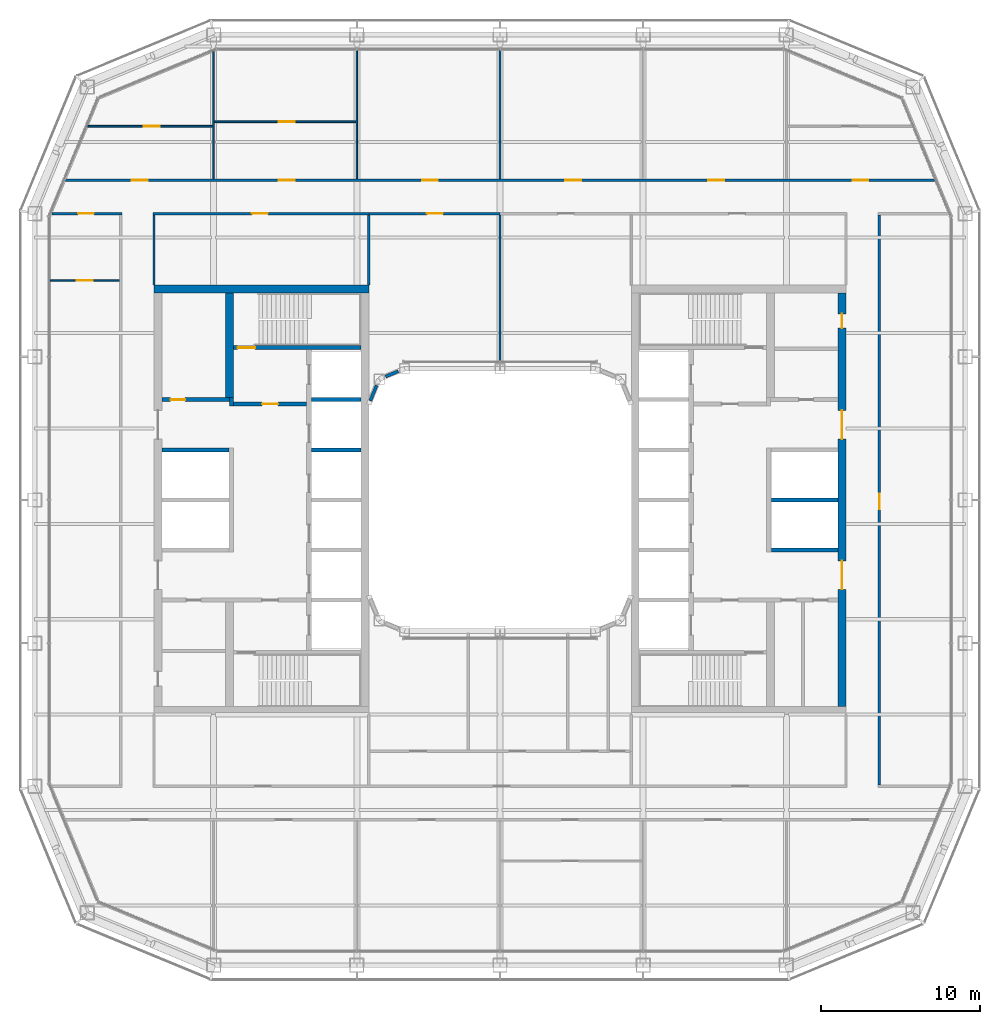
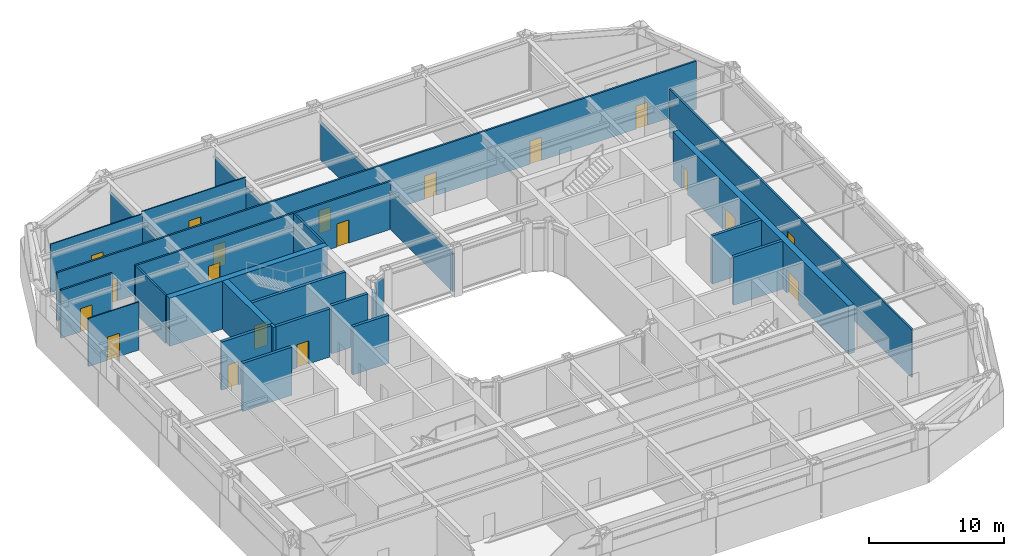
# One storey, part 13 of 21: 28 walls, 19 doors, 19 openings.
"""IFC4 building model written with IfcOpenShell, lengths in metres."""

from ifc_helpers import new_model, si_unit, direction, frame, frame_2d, origin, place, context, subcontext, project, spatial, rectangle, extrude, material, layer, layer_set, type_object, element, fill, save


model = new_model("IFC4")

# Units and contexts
model_context = context("Model", 3, precision=1e-05, world=origin(), true_north=direction((0.0, 1.0)))
body_context = subcontext(model_context, "Body", "Model", "MODEL_VIEW")
ifc_project = project(units=[si_unit("LENGTHUNIT", "METRE"), si_unit("AREAUNIT", "SQUARE_METRE"), si_unit("VOLUMEUNIT", "CUBIC_METRE"), si_unit("PLANEANGLEUNIT", "RADIAN"), si_unit("MASSUNIT", "GRAM", prefix="KILO")], contexts=[model_context])

# Site, building, storey
site_placement = place(None, origin())
site = spatial("IfcSite", under=ifc_project, at=site_placement, CompositionType="ELEMENT")
building_placement = place(site_placement, origin())
building = spatial("IfcBuilding", under=site, at=building_placement, Name="Siwar Civic Tower", CompositionType="ELEMENT")
storey_placement = place(building_placement, frame((0.0, 0.0, 158.699951171875)))
storey = spatial("IfcBuildingStorey", under=building, at=storey_placement, Name="L34", CompositionType="ELEMENT", Elevation=158.699951171875)

# Wall, opening, door
ifc_material_1 = material(Name="Gypsum board on steel studs", Category="steel")
ifc_layer_1 = layer(ifc_material_1, 0.14990234375)
ifc_layer_set_1 = layer_set([ifc_layer_1], Name="Gypsum board on steel studs")
wall_type_1 = type_object("IfcWallType", Name="COMPARTMENT PARTITION 150 EI 60", PredefinedType="PARTITIONING", material=ifc_layer_set_1)
wall_1_placement = place(storey_placement, frame((-8.25, 18.0, 0.0), z_axis=(0.0, 0.0, 1.0), x_axis=(1.0, 0.0, 0.0)))
wall_1 = element("IfcWall", 1, at=wall_1_placement, inside=storey, type_object=wall_type_1, Name="L34/wall/P13", PredefinedType="PARTITIONING", context=body_context, shape_type="SweptSolid", body=[
    extrude(rectangle(XDim=8.25, YDim=0.14990234375, at=frame_2d((4.125, 0.0))), origin(), (0.0, 0.0, 1.0), 4.35009765625),
])
opening_1_placement = place(wall_1_placement, frame((3.64990234375, 0.0, 0.0)))
opening_1 = element("IfcOpeningElement", 2, at=opening_1_placement, cuts=wall_1, Name="Opening D1", PredefinedType="OPENING", context=body_context, shape_type="SweptSolid", body=[
    extrude(rectangle(XDim=1.0, YDim=2.10009765625, at=frame_2d((0.5, 1.050048828125))), frame((0.0, 0.0849609375, 0.0), z_axis=(0.0, -1.0, 0.0), x_axis=(1.0, 0.0, 0.0)), (0.0, 0.0, 1.0), 0.169921875),
])
ifc_material_2 = material(Name="Timber, painted", Category="wood")
door_type_1 = type_object("IfcDoorType", Name="DOOR 1000 X 2100 FD30", OperationType="SINGLE_SWING_LEFT", PredefinedType="DOOR", material=ifc_material_2)
door_1_placement = place(opening_1_placement, origin())
door_1 = element("IfcDoor", 3, at=door_1_placement, inside=storey, type_object=door_type_1, Name="L34-D17", OperationType="SINGLE_SWING_LEFT", OverallHeight=2.10009765625, OverallWidth=1.0, PredefinedType="DOOR", context=body_context, shape_type="SweptSolid", body=[
    extrude(rectangle(XDim=1.0, YDim=2.10009765625, at=frame_2d((0.5, 1.050048828125))), frame((0.0, 0.02490234375, 0.0), z_axis=(0.0, -1.0, 0.0), x_axis=(1.0, 0.0, 0.0)), (0.0, 0.0, 1.0), 0.050048828125),
])
fill(opening_1, door_1)

# Walls
wall_2_placement = place(storey_placement, frame((-8.25, 13.5, 0.0), z_axis=(0.0, 0.0, 1.0), x_axis=(0.0, 1.0, 0.0)))
element("IfcWall", 4, at=wall_2_placement, inside=storey, type_object=wall_type_1, Name="L34/wall/P26", PredefinedType="PARTITIONING", context=body_context, shape_type="SweptSolid", body=[
    extrude(rectangle(XDim=4.425048828125, YDim=0.14990234375, at=frame_2d((2.21240234375, 0.0))), origin(), (0.0, 0.0, 1.0), 4.35009765625),
])
wall_3_placement = place(storey_placement, frame((0.0, 8.64990234375, 0.0), z_axis=(0.0, 0.0, 1.0), x_axis=(0.0, 1.0, 0.0)))
element("IfcWall", 5, at=wall_3_placement, inside=storey, type_object=wall_type_1, Name="L34/wall/P30", PredefinedType="PARTITIONING", context=body_context, shape_type="SweptSolid", body=[
    extrude(rectangle(XDim=9.275146484375, YDim=0.14990234375, at=frame_2d((4.6376953125, 0.0))), origin(), (0.0, 0.0, 1.0), 3.449951171875),
])

# Wall, opening, door
ifc_material_3 = material(Name="Concrete C60/75", Category="concrete")
ifc_layer_2 = layer(ifc_material_3, 0.25)
ifc_layer_set_2 = layer_set([ifc_layer_2], Name="Concrete C60/75")
wall_type_2 = type_object("IfcWallType", Name="CORE-WALL-RC250", PredefinedType="SHEAR", material=ifc_layer_set_2)
wall_4_placement = place(storey_placement, frame((-12.14990234375, 6.02490234375, 0.0), z_axis=(0.0, 0.0, 1.0), x_axis=(-1.0, 0.0, 0.0)))
wall_4 = element("IfcWall", 6, at=wall_4_placement, inside=storey, type_object=wall_type_2, Name="Core wall W", PredefinedType="SHEAR", context=body_context, shape_type="SweptSolid", body=[
    extrude(rectangle(XDim=4.60009765625, YDim=0.25, at=frame_2d((2.300048828125, 0.0))), origin(), (0.0, 0.0, 1.0), 4.35009765625),
])
opening_2_placement = place(wall_4_placement, frame((1.800048828125, 0.0, 0.0)))
opening_2 = element("IfcOpeningElement", 7, at=opening_2_placement, cuts=wall_4, Name="Opening L34-CW01", PredefinedType="OPENING", context=body_context, shape_type="SweptSolid", body=[
    extrude(rectangle(XDim=1.0, YDim=2.10009765625, at=frame_2d((0.5, 1.050048828125))), frame((0.0, 0.135009765625, 0.0), z_axis=(0.0, -1.0, 0.0), x_axis=(1.0, 0.0, 0.0)), (0.0, 0.0, 1.0), 0.27001953125),
])
ifc_material_4 = material(Name="Steel door leaf", Category="steel")
door_type_2 = type_object("IfcDoorType", Name="CORE-DOOR-FD30S", OperationType="SINGLE_SWING_LEFT", PredefinedType="DOOR", material=ifc_material_4)
door_2_placement = place(opening_2_placement, origin())
door_2 = element("IfcDoor", 8, at=door_2_placement, inside=storey, type_object=door_type_2, Name="Firefighting lobby door L34-CW01", OperationType="SINGLE_SWING_LEFT", OverallHeight=2.10009765625, OverallWidth=1.0, PredefinedType="DOOR", context=body_context, shape_type="SweptSolid", body=[
    extrude(rectangle(XDim=1.0, YDim=2.10009765625, at=frame_2d((0.5, 1.050048828125))), frame((0.0, 0.02490234375, 0.0), z_axis=(0.0, -1.0, 0.0), x_axis=(1.0, 0.0, 0.0)), (0.0, 0.0, 1.0), 0.050048828125),
])
fill(opening_2, door_2)

# Wall
wall_5_placement = place(storey_placement, frame((-16.875, 5.89990234375, 0.0), z_axis=(0.0, 0.0, 1.0), x_axis=(0.0, 1.0, 0.0)))
element("IfcWall", 9, at=wall_5_placement, inside=storey, type_object=wall_type_2, Name="Core wall W", PredefinedType="SHEAR", context=body_context, shape_type="SweptSolid", body=[
    extrude(rectangle(XDim=0.525146484375, YDim=0.25, at=frame_2d((0.2626953125, 0.0))), origin(), (0.0, 0.0, 1.0), 4.35009765625),
])

# Wall, opening, door
wall_6_placement = place(storey_placement, frame((-17.0, 6.300048828125, 0.0), z_axis=(0.0, 0.0, 1.0), x_axis=(-1.0, 0.0, 0.0)))
wall_6 = element("IfcWall", 10, at=wall_6_placement, inside=storey, type_object=wall_type_2, Name="Core wall W", PredefinedType="SHEAR", context=body_context, shape_type="SweptSolid", body=[
    extrude(rectangle(XDim=4.25, YDim=0.25, at=frame_2d((2.125, 0.0))), origin(), (0.0, 0.0, 1.0), 4.35009765625),
])
opening_3_placement = place(wall_6_placement, frame((2.800048828125, 0.0, 0.0)))
opening_3 = element("IfcOpeningElement", 11, at=opening_3_placement, cuts=wall_6, Name="Opening L34-CW13", PredefinedType="OPENING", context=body_context, shape_type="SweptSolid", body=[
    extrude(rectangle(XDim=0.89990234375, YDim=2.10009765625, at=frame_2d((0.449951171875, 1.050048828125))), frame((0.0, 0.135009765625, 0.0), z_axis=(0.0, -1.0, 0.0), x_axis=(1.0, 0.0, 0.0)), (0.0, 0.0, 1.0), 0.27001953125),
])
ifc_material_5 = material(Name="Steel door leaf", Category="steel")
door_type_3 = type_object("IfcDoorType", Name="CORE-DOOR-ROOM", OperationType="SINGLE_SWING_LEFT", PredefinedType="DOOR", material=ifc_material_5)
door_3_placement = place(opening_3_placement, origin())
door_3 = element("IfcDoor", 12, at=door_3_placement, inside=storey, type_object=door_type_3, Name="Core room door L34-CW13", OperationType="SINGLE_SWING_RIGHT", OverallHeight=2.10009765625, OverallWidth=0.89990234375, PredefinedType="DOOR", context=body_context, shape_type="SweptSolid", body=[
    extrude(rectangle(XDim=0.89990234375, YDim=2.10009765625, at=frame_2d((0.449951171875, 1.050048828125))), frame((0.0, 0.02490234375, 0.0), z_axis=(0.0, -1.0, 0.0), x_axis=(1.0, 0.0, 0.0)), (0.0, 0.0, 1.0), 0.050048828125),
])
fill(opening_3, door_3)

# Walls
wall_7_placement = place(storey_placement, frame((-17.050048828125, 3.14990234375, 0.0), z_axis=(0.0, 0.0, 1.0), x_axis=(-1.0, 0.0, 0.0)))
element("IfcWall", 13, at=wall_7_placement, inside=storey, type_object=wall_type_2, Name="Core wall W", PredefinedType="SHEAR", context=body_context, shape_type="SweptSolid", body=[
    extrude(rectangle(XDim=4.199951171875, YDim=0.25, at=frame_2d((2.10009765625, 0.0))), origin(), (0.0, 0.0, 1.0), 4.35009765625),
])
for number, where, z_axis, x_axis, name in (
    (14, (-8.75, 3.14990234375, 0.0), (0.0, 0.0, 1.0), (-1.0, 0.0, 0.0), "Core wall W"),
    (15, (-8.75, 6.300048828125, 0.0), (0.0, 0.0, 1.0), (-1.0, 0.0, 0.0), "Core wall W"),
):
    element("IfcWall", number, at=place(storey_placement, frame(where, z_axis=z_axis, x_axis=x_axis)), inside=storey, type_object=wall_type_2, Name=name, PredefinedType="SHEAR", context=body_context, shape_type="SweptSolid", body=[
        extrude(rectangle(XDim=3.10009765625, YDim=0.25, at=frame_2d((1.550048828125, 0.0))), origin(), (0.0, 0.0, 1.0), 4.35009765625),
    ])

# Wall, opening, door
wall_8_placement = place(storey_placement, frame((-8.75, 9.574951171875, 0.0), z_axis=(0.0, 0.0, 1.0), x_axis=(-1.0, 0.0, 0.0)))
wall_8 = element("IfcWall", 16, at=wall_8_placement, inside=storey, type_object=wall_type_2, Name="Core wall W", PredefinedType="SHEAR", context=body_context, shape_type="SweptSolid", body=[
    extrude(rectangle(XDim=8.0, YDim=0.25, at=frame_2d((4.0, 0.0))), origin(), (0.0, 0.0, 1.0), 4.35009765625),
])
opening_4_placement = place(wall_8_placement, frame((6.64990234375, 0.0, 0.0)))
opening_4 = element("IfcOpeningElement", 17, at=opening_4_placement, cuts=wall_8, Name="Opening L34-CW03", PredefinedType="OPENING", context=body_context, shape_type="SweptSolid", body=[
    extrude(rectangle(XDim=1.10009765625, YDim=2.10009765625, at=frame_2d((0.550048828125, 1.050048828125))), frame((0.0, 0.135009765625, 0.0), z_axis=(0.0, -1.0, 0.0), x_axis=(1.0, 0.0, 0.0)), (0.0, 0.0, 1.0), 0.27001953125),
])
ifc_material_6 = material(Name="Steel door leaf", Category="steel")
door_type_4 = type_object("IfcDoorType", Name="CORE-DOOR-FD60S", OperationType="SINGLE_SWING_LEFT", PredefinedType="DOOR", material=ifc_material_6)
door_4_placement = place(opening_4_placement, origin())
door_4 = element("IfcDoor", 18, at=door_4_placement, inside=storey, type_object=door_type_4, Name="Stair door L34-CW03", OperationType="SINGLE_SWING_RIGHT", OverallHeight=2.10009765625, OverallWidth=1.10009765625, PredefinedType="DOOR", context=body_context, shape_type="SweptSolid", body=[
    extrude(rectangle(XDim=1.10009765625, YDim=2.10009765625, at=frame_2d((0.550048828125, 1.050048828125))), frame((0.0, 0.02490234375, 0.0), z_axis=(0.0, -1.0, 0.0), x_axis=(1.0, 0.0, 0.0)), (0.0, 0.0, 1.0), 0.050048828125),
])
fill(opening_4, door_4)

# Walls
for number, where, z_axis, x_axis, name in (
    (19, (17.050048828125, 0.0, 0.0), (0.0, 0.0, 1.0), (1.0, 0.0, 0.0), "Core wall E"),
    (20, (17.050048828125, -3.14990234375, 0.0), (0.0, 0.0, 1.0), (1.0, 0.0, 0.0), "Core wall E"),
):
    element("IfcWall", number, at=place(storey_placement, frame(where, z_axis=z_axis, x_axis=x_axis)), inside=storey, type_object=wall_type_2, Name=name, PredefinedType="SHEAR", context=body_context, shape_type="SweptSolid", body=[
        extrude(rectangle(XDim=4.199951171875, YDim=0.25, at=frame_2d((2.10009765625, 0.0))), origin(), (0.0, 0.0, 1.0), 4.35009765625),
    ])
ifc_material_7 = material(Name="Concrete C60/75", Category="concrete")
ifc_layer_3 = layer(ifc_material_7, 0.5)
ifc_layer_set_3 = layer_set([ifc_layer_3], Name="Concrete C60/75")
wall_type_3 = type_object("IfcWallType", Name="CORE-WALL-RC500", PredefinedType="SHEAR", material=ifc_layer_set_3)
wall_9_placement = place(storey_placement, frame((-17.0, 6.425048828125, 0.0), z_axis=(0.0, 0.0, 1.0), x_axis=(0.0, 1.0, 0.0)))
element("IfcWall", 21, at=wall_9_placement, inside=storey, type_object=wall_type_3, Name="Core wall W", PredefinedType="SHEAR", context=body_context, shape_type="SweptSolid", body=[
    extrude(rectangle(XDim=6.574951171875, YDim=0.5, at=frame_2d((3.28759765625, 0.0))), origin(), (0.0, 0.0, 1.0), 4.35009765625),
])
wall_10_placement = place(storey_placement, frame((-8.25, 13.25, 0.0), z_axis=(0.0, 0.0, 1.0), x_axis=(-1.0, 0.0, 0.0)))
element("IfcWall", 22, at=wall_10_placement, inside=storey, type_object=wall_type_3, Name="Core wall W", PredefinedType="SHEAR", context=body_context, shape_type="SweptSolid", body=[
    extrude(rectangle(XDim=13.5, YDim=0.5, at=frame_2d((6.75, 0.0))), origin(), (0.0, 0.0, 1.0), 4.35009765625),
])

# Wall, openings, doors
wall_11_placement = place(storey_placement, frame((21.5, -13.0, 0.0), z_axis=(0.0, 0.0, 1.0), x_axis=(0.0, 1.0, 0.0)))
wall_11 = element("IfcWall", 23, at=wall_11_placement, inside=storey, type_object=wall_type_3, Name="Core wall E", PredefinedType="SHEAR", context=body_context, shape_type="SweptSolid", body=[
    extrude(rectangle(XDim=26.0, YDim=0.5, at=frame_2d((13.0, 0.0))), origin(), (0.0, 0.0, 1.0), 4.35009765625),
])
opening_5_placement = place(wall_11_placement, frame((16.824951171875, 0.0, 0.0)))
opening_5 = element("IfcOpeningElement", 24, at=opening_5_placement, cuts=wall_11, Name="Opening L34-CE05", PredefinedType="OPENING", context=body_context, shape_type="SweptSolid", body=[
    extrude(rectangle(XDim=1.800048828125, YDim=2.10009765625, at=frame_2d((0.89990234375, 1.050048828125))), frame((0.0, 0.260009765625, 0.0), z_axis=(0.0, -1.0, 0.0), x_axis=(1.0, 0.0, 0.0)), (0.0, 0.0, 1.0), 0.52001953125),
])
opening_6_placement = place(wall_11_placement, frame((7.375, 0.0, 0.0)))
opening_6 = element("IfcOpeningElement", 25, at=opening_6_placement, cuts=wall_11, Name="Opening L34-CE06", PredefinedType="OPENING", context=body_context, shape_type="SweptSolid", body=[
    extrude(rectangle(XDim=1.800048828125, YDim=2.10009765625, at=frame_2d((0.89990234375, 1.050048828125))), frame((0.0, 0.260009765625, 0.0), z_axis=(0.0, -1.0, 0.0), x_axis=(1.0, 0.0, 0.0)), (0.0, 0.0, 1.0), 0.52001953125),
])
opening_7_placement = place(wall_11_placement, frame((23.800048828125, 0.0, 0.0)))
opening_7 = element("IfcOpeningElement", 26, at=opening_7_placement, cuts=wall_11, Name="Opening L34-CE14", PredefinedType="OPENING", context=body_context, shape_type="SweptSolid", body=[
    extrude(rectangle(XDim=0.89990234375, YDim=2.10009765625, at=frame_2d((0.449951171875, 1.050048828125))), frame((0.0, 0.260009765625, 0.0), z_axis=(0.0, -1.0, 0.0), x_axis=(1.0, 0.0, 0.0)), (0.0, 0.0, 1.0), 0.52001953125),
])
ifc_material_8 = material(Name="Steel door leaf", Category="steel")
door_type_5 = type_object("IfcDoorType", Name="CORE-DOOR-PORT", OperationType="DOUBLE_DOOR_DOUBLE_SWING", PredefinedType="DOOR", material=ifc_material_8)
door_5_placement = place(opening_5_placement, origin())
door_5 = element("IfcDoor", 27, at=door_5_placement, inside=storey, type_object=door_type_5, Name="Core entrance door L34-CE05", OperationType="DOUBLE_DOOR_DOUBLE_SWING", OverallHeight=2.10009765625, OverallWidth=1.800048828125, PredefinedType="DOOR", context=body_context, shape_type="SweptSolid", body=[
    extrude(rectangle(XDim=1.800048828125, YDim=2.10009765625, at=frame_2d((0.89990234375, 1.050048828125))), frame((0.0, 0.02490234375, 0.0), z_axis=(0.0, -1.0, 0.0), x_axis=(1.0, 0.0, 0.0)), (0.0, 0.0, 1.0), 0.050048828125),
])
fill(opening_5, door_5)
door_6_placement = place(opening_6_placement, origin())
door_6 = element("IfcDoor", 28, at=door_6_placement, inside=storey, type_object=door_type_5, Name="Core entrance door L34-CE06", OperationType="DOUBLE_DOOR_DOUBLE_SWING", OverallHeight=2.10009765625, OverallWidth=1.800048828125, PredefinedType="DOOR", context=body_context, shape_type="SweptSolid", body=[
    extrude(rectangle(XDim=1.800048828125, YDim=2.10009765625, at=frame_2d((0.89990234375, 1.050048828125))), frame((0.0, 0.02490234375, 0.0), z_axis=(0.0, -1.0, 0.0), x_axis=(1.0, 0.0, 0.0)), (0.0, 0.0, 1.0), 0.050048828125),
])
fill(opening_6, door_6)
door_7_placement = place(opening_7_placement, origin())
door_7 = element("IfcDoor", 29, at=door_7_placement, inside=storey, type_object=door_type_3, Name="Core room door L34-CE14", OperationType="SINGLE_SWING_RIGHT", OverallHeight=2.10009765625, OverallWidth=0.89990234375, PredefinedType="DOOR", context=body_context, shape_type="SweptSolid", body=[
    extrude(rectangle(XDim=0.89990234375, YDim=2.10009765625, at=frame_2d((0.449951171875, 1.050048828125))), frame((0.0, 0.02490234375, 0.0), z_axis=(0.0, -1.0, 0.0), x_axis=(1.0, 0.0, 0.0)), (0.0, 0.0, 1.0), 0.050048828125),
])
fill(opening_7, door_7)

# Wall, opening, door
ifc_material_9 = material(Name="Gypsum board on steel studs", Category="steel")
ifc_layer_4 = layer(ifc_material_9, 0.14990234375)
ifc_layer_set_4 = layer_set([ifc_layer_4], Name="Gypsum board on steel studs")
wall_type_4 = type_object("IfcWallType", Name="CORRIDOR PARTITION 150 EI 30", PredefinedType="PARTITIONING", material=ifc_layer_set_4)
wall_12_placement = place(storey_placement, frame((-28.177978515625, 18.0, 0.0), z_axis=(0.0, 0.0, 1.0), x_axis=(1.0, 0.0, 0.0)))
wall_12 = element("IfcWall", 30, at=wall_12_placement, inside=storey, type_object=wall_type_4, Name="L34/wall/P09", PredefinedType="PARTITIONING", context=body_context, shape_type="SweptSolid", body=[
    extrude(rectangle(XDim=4.403076171875, YDim=0.14990234375, at=frame_2d((2.20166015625, 0.0))), origin(), (0.0, 0.0, 1.0), 4.35009765625),
])
opening_8_placement = place(wall_12_placement, frame((1.64990234375, 0.0, 0.0)))
opening_8 = element("IfcOpeningElement", 31, at=opening_8_placement, cuts=wall_12, Name="Opening D1", PredefinedType="OPENING", context=body_context, shape_type="SweptSolid", body=[
    extrude(rectangle(XDim=1.0, YDim=2.10009765625, at=frame_2d((0.5, 1.050048828125))), frame((0.0, 0.0849609375, 0.0), z_axis=(0.0, -1.0, 0.0), x_axis=(1.0, 0.0, 0.0)), (0.0, 0.0, 1.0), 0.169921875),
])
door_8_placement = place(opening_8_placement, origin())
door_8 = element("IfcDoor", 32, at=door_8_placement, inside=storey, type_object=door_type_1, Name="L34-D28", OperationType="SINGLE_SWING_RIGHT", OverallHeight=2.10009765625, OverallWidth=1.0, PredefinedType="DOOR", context=body_context, shape_type="SweptSolid", body=[
    extrude(rectangle(XDim=1.0, YDim=2.10009765625, at=frame_2d((0.5, 1.050048828125))), frame((0.0, 0.02490234375, 0.0), z_axis=(0.0, -1.0, 0.0), x_axis=(1.0, 0.0, 0.0)), (0.0, 0.0, 1.0), 0.050048828125),
])
fill(opening_8, door_8)

wall_13_placement = place(storey_placement, frame((-21.824951171875, 18.0, 0.0), z_axis=(0.0, 0.0, 1.0), x_axis=(1.0, 0.0, 0.0)))
wall_13 = element("IfcWall", 33, at=wall_13_placement, inside=storey, type_object=wall_type_4, Name="L34/wall/P10", PredefinedType="PARTITIONING", context=body_context, shape_type="SweptSolid", body=[
    extrude(rectangle(XDim=13.574951171875, YDim=0.14990234375, at=frame_2d((6.78759765625, 0.0))), origin(), (0.0, 0.0, 1.0), 4.35009765625),
])
opening_9_placement = place(wall_13_placement, frame((6.22509765625, 0.0, 0.0)))
opening_9 = element("IfcOpeningElement", 34, at=opening_9_placement, cuts=wall_13, Name="Opening D1", PredefinedType="OPENING", context=body_context, shape_type="SweptSolid", body=[
    extrude(rectangle(XDim=1.0, YDim=2.10009765625, at=frame_2d((0.5, 1.050048828125))), frame((0.0, 0.0849609375, 0.0), z_axis=(0.0, -1.0, 0.0), x_axis=(1.0, 0.0, 0.0)), (0.0, 0.0, 1.0), 0.169921875),
])
door_9_placement = place(opening_9_placement, origin())
door_9 = element("IfcDoor", 35, at=door_9_placement, inside=storey, type_object=door_type_1, Name="L34-D24", OperationType="SINGLE_SWING_RIGHT", OverallHeight=2.10009765625, OverallWidth=1.0, PredefinedType="DOOR", context=body_context, shape_type="SweptSolid", body=[
    extrude(rectangle(XDim=1.0, YDim=2.10009765625, at=frame_2d((0.5, 1.050048828125))), frame((0.0, 0.02490234375, 0.0), z_axis=(0.0, -1.0, 0.0), x_axis=(1.0, 0.0, 0.0)), (0.0, 0.0, 1.0), 0.050048828125),
])
fill(opening_9, door_9)

# Wall, openings, doors
wall_14_placement = place(storey_placement, frame((-27.30810546875, 20.10009765625, 0.0), z_axis=(0.0, 0.0, 1.0), x_axis=(1.0, 0.0, 0.0)))
wall_14 = element("IfcWall", 36, at=wall_14_placement, inside=storey, type_object=wall_type_4, Name="L34/wall/P14", PredefinedType="PARTITIONING", context=body_context, shape_type="SweptSolid", body=[
    extrude(rectangle(XDim=54.6162109375, YDim=0.14990234375, at=frame_2d((27.30810546875, 0.0))), origin(), (0.0, 0.0, 1.0), 4.35009765625),
])
opening_10_placement = place(wall_14_placement, frame((13.407958984375, 0.0, 0.0)))
opening_10 = element("IfcOpeningElement", 37, at=opening_10_placement, cuts=wall_14, Name="Opening D1", PredefinedType="OPENING", context=body_context, shape_type="SweptSolid", body=[
    extrude(rectangle(XDim=1.0, YDim=2.10009765625, at=frame_2d((0.5, 1.050048828125))), frame((0.0, 0.0849609375, 0.0), z_axis=(0.0, -1.0, 0.0), x_axis=(1.0, 0.0, 0.0)), (0.0, 0.0, 1.0), 0.169921875),
])
opening_11_placement = place(wall_14_placement, frame((22.407958984375, 0.0, 0.0)))
opening_11 = element("IfcOpeningElement", 38, at=opening_11_placement, cuts=wall_14, Name="Opening D1", PredefinedType="OPENING", context=body_context, shape_type="SweptSolid", body=[
    extrude(rectangle(XDim=1.0, YDim=2.10009765625, at=frame_2d((0.5, 1.050048828125))), frame((0.0, 0.0849609375, 0.0), z_axis=(0.0, -1.0, 0.0), x_axis=(1.0, 0.0, 0.0)), (0.0, 0.0, 1.0), 0.169921875),
])
opening_12_placement = place(wall_14_placement, frame((31.407958984375, 0.0, 0.0)))
opening_12 = element("IfcOpeningElement", 39, at=opening_12_placement, cuts=wall_14, Name="Opening D1", PredefinedType="OPENING", context=body_context, shape_type="SweptSolid", body=[
    extrude(rectangle(XDim=1.0, YDim=2.10009765625, at=frame_2d((0.5, 1.050048828125))), frame((0.0, 0.0849609375, 0.0), z_axis=(0.0, -1.0, 0.0), x_axis=(1.0, 0.0, 0.0)), (0.0, 0.0, 1.0), 0.169921875),
])
opening_13_placement = place(wall_14_placement, frame((40.407958984375, 0.0, 0.0)))
opening_13 = element("IfcOpeningElement", 40, at=opening_13_placement, cuts=wall_14, Name="Opening D1", PredefinedType="OPENING", context=body_context, shape_type="SweptSolid", body=[
    extrude(rectangle(XDim=1.0, YDim=2.10009765625, at=frame_2d((0.5, 1.050048828125))), frame((0.0, 0.0849609375, 0.0), z_axis=(0.0, -1.0, 0.0), x_axis=(1.0, 0.0, 0.0)), (0.0, 0.0, 1.0), 0.169921875),
])
opening_14_placement = place(wall_14_placement, frame((4.157958984375, 0.0, 0.0)))
opening_14 = element("IfcOpeningElement", 41, at=opening_14_placement, cuts=wall_14, Name="Opening D1", PredefinedType="OPENING", context=body_context, shape_type="SweptSolid", body=[
    extrude(rectangle(XDim=1.0, YDim=2.10009765625, at=frame_2d((0.5, 1.050048828125))), frame((0.0, 0.0849609375, 0.0), z_axis=(0.0, -1.0, 0.0), x_axis=(1.0, 0.0, 0.0)), (0.0, 0.0, 1.0), 0.169921875),
])
opening_15_placement = place(wall_14_placement, frame((49.466064453125, 0.0, 0.0)))
opening_15 = element("IfcOpeningElement", 42, at=opening_15_placement, cuts=wall_14, Name="Opening D1", PredefinedType="OPENING", context=body_context, shape_type="SweptSolid", body=[
    extrude(rectangle(XDim=1.0, YDim=2.10009765625, at=frame_2d((0.5, 1.050048828125))), frame((0.0, 0.0849609375, 0.0), z_axis=(0.0, -1.0, 0.0), x_axis=(1.0, 0.0, 0.0)), (0.0, 0.0, 1.0), 0.169921875),
])
door_10_placement = place(opening_10_placement, origin())
door_10 = element("IfcDoor", 43, at=door_10_placement, inside=storey, type_object=door_type_1, Name="L34-D01", OperationType="SINGLE_SWING_LEFT", OverallHeight=2.10009765625, OverallWidth=1.0, PredefinedType="DOOR", context=body_context, shape_type="SweptSolid", body=[
    extrude(rectangle(XDim=1.0, YDim=2.10009765625, at=frame_2d((0.5, 1.050048828125))), frame((0.0, 0.02490234375, 0.0), z_axis=(0.0, -1.0, 0.0), x_axis=(1.0, 0.0, 0.0)), (0.0, 0.0, 1.0), 0.050048828125),
])
fill(opening_10, door_10)
door_11_placement = place(opening_11_placement, origin())
door_11 = element("IfcDoor", 44, at=door_11_placement, inside=storey, type_object=door_type_1, Name="L34-D03", OperationType="SINGLE_SWING_LEFT", OverallHeight=2.10009765625, OverallWidth=1.0, PredefinedType="DOOR", context=body_context, shape_type="SweptSolid", body=[
    extrude(rectangle(XDim=1.0, YDim=2.10009765625, at=frame_2d((0.5, 1.050048828125))), frame((0.0, 0.02490234375, 0.0), z_axis=(0.0, -1.0, 0.0), x_axis=(1.0, 0.0, 0.0)), (0.0, 0.0, 1.0), 0.050048828125),
])
fill(opening_11, door_11)
door_12_placement = place(opening_12_placement, origin())
door_12 = element("IfcDoor", 45, at=door_12_placement, inside=storey, type_object=door_type_1, Name="L34-D04", OperationType="SINGLE_SWING_RIGHT", OverallHeight=2.10009765625, OverallWidth=1.0, PredefinedType="DOOR", context=body_context, shape_type="SweptSolid", body=[
    extrude(rectangle(XDim=1.0, YDim=2.10009765625, at=frame_2d((0.5, 1.050048828125))), frame((0.0, 0.02490234375, 0.0), z_axis=(0.0, -1.0, 0.0), x_axis=(1.0, 0.0, 0.0)), (0.0, 0.0, 1.0), 0.050048828125),
])
fill(opening_12, door_12)
door_13_placement = place(opening_13_placement, origin())
door_13 = element("IfcDoor", 46, at=door_13_placement, inside=storey, type_object=door_type_1, Name="L34-D05", OperationType="SINGLE_SWING_LEFT", OverallHeight=2.10009765625, OverallWidth=1.0, PredefinedType="DOOR", context=body_context, shape_type="SweptSolid", body=[
    extrude(rectangle(XDim=1.0, YDim=2.10009765625, at=frame_2d((0.5, 1.050048828125))), frame((0.0, 0.02490234375, 0.0), z_axis=(0.0, -1.0, 0.0), x_axis=(1.0, 0.0, 0.0)), (0.0, 0.0, 1.0), 0.050048828125),
])
fill(opening_13, door_13)
door_14_placement = place(opening_14_placement, origin())
door_14 = element("IfcDoor", 47, at=door_14_placement, inside=storey, type_object=door_type_1, Name="L34-D11", OperationType="SINGLE_SWING_LEFT", OverallHeight=2.10009765625, OverallWidth=1.0, PredefinedType="DOOR", context=body_context, shape_type="SweptSolid", body=[
    extrude(rectangle(XDim=1.0, YDim=2.10009765625, at=frame_2d((0.5, 1.050048828125))), frame((0.0, 0.02490234375, 0.0), z_axis=(0.0, -1.0, 0.0), x_axis=(1.0, 0.0, 0.0)), (0.0, 0.0, 1.0), 0.050048828125),
])
fill(opening_14, door_14)
door_15_placement = place(opening_15_placement, origin())
door_15 = element("IfcDoor", 48, at=door_15_placement, inside=storey, type_object=door_type_1, Name="L34-D13", OperationType="SINGLE_SWING_LEFT", OverallHeight=2.10009765625, OverallWidth=1.0, PredefinedType="DOOR", context=body_context, shape_type="SweptSolid", body=[
    extrude(rectangle(XDim=1.0, YDim=2.10009765625, at=frame_2d((0.5, 1.050048828125))), frame((0.0, 0.02490234375, 0.0), z_axis=(0.0, -1.0, 0.0), x_axis=(1.0, 0.0, 0.0)), (0.0, 0.0, 1.0), 0.050048828125),
])
fill(opening_15, door_15)

# Wall
wall_15_placement = place(storey_placement, frame((-21.75, 13.5, 0.0), z_axis=(0.0, 0.0, 1.0), x_axis=(0.0, 1.0, 0.0)))
element("IfcWall", 49, at=wall_15_placement, inside=storey, type_object=wall_type_4, Name="L34/wall/P20", PredefinedType="PARTITIONING", context=body_context, shape_type="SweptSolid", body=[
    extrude(rectangle(XDim=4.425048828125, YDim=0.14990234375, at=frame_2d((2.21240234375, 0.0))), origin(), (0.0, 0.0, 1.0), 4.35009765625),
])

# Wall, opening, door
wall_16_placement = place(storey_placement, frame((23.85009765625, -17.925048828125, 0.0), z_axis=(0.0, 0.0, 1.0), x_axis=(0.0, 1.0, 0.0)))
wall_16 = element("IfcWall", 50, at=wall_16_placement, inside=storey, type_object=wall_type_4, Name="L34/wall/P42", PredefinedType="PARTITIONING", context=body_context, shape_type="SweptSolid", body=[
    extrude(rectangle(XDim=35.85009765625, YDim=0.14990234375, at=frame_2d((17.925048828125, 0.0))), origin(), (0.0, 0.0, 1.0), 4.35009765625),
])
opening_16_placement = place(wall_16_placement, frame((17.324951171875, 0.0, 0.0)))
opening_16 = element("IfcOpeningElement", 51, at=opening_16_placement, cuts=wall_16, Name="Opening D1", PredefinedType="OPENING", context=body_context, shape_type="SweptSolid", body=[
    extrude(rectangle(XDim=1.0, YDim=2.10009765625, at=frame_2d((0.5, 1.050048828125))), frame((0.0, 0.0849609375, 0.0), z_axis=(0.0, -1.0, 0.0), x_axis=(1.0, 0.0, 0.0)), (0.0, 0.0, 1.0), 0.169921875),
])
door_16_placement = place(opening_16_placement, origin())
door_16 = element("IfcDoor", 52, at=door_16_placement, inside=storey, type_object=door_type_1, Name="L34-D30", OperationType="SINGLE_SWING_RIGHT", OverallHeight=2.10009765625, OverallWidth=1.0, PredefinedType="DOOR", context=body_context, shape_type="SweptSolid", body=[
    extrude(rectangle(XDim=1.0, YDim=2.10009765625, at=frame_2d((0.5, 1.050048828125))), frame((0.0, 0.02490234375, 0.0), z_axis=(0.0, -1.0, 0.0), x_axis=(1.0, 0.0, 0.0)), (0.0, 0.0, 1.0), 0.050048828125),
])
fill(opening_16, door_16)

# Walls
ifc_material_10 = material(Name="Aluminium clad insulated panel", Category="aluminium")
ifc_layer_5 = layer(ifc_material_10, 0.199951171875)
ifc_layer_set_5 = layer_set([ifc_layer_5], Name="Aluminium clad insulated panel")
wall_type_5 = type_object("IfcWallType", Name="ENV-WALL-WELL", PredefinedType="STANDARD", material=ifc_layer_set_5)
wall_17_placement = place(storey_placement, frame((-6.392333984375, 8.08740234375, 0.0), z_axis=(0.0, 0.0, 1.0), x_axis=(-0.923894108428, -0.382648241093, 0.0)))
element("IfcWall", 53, at=wall_17_placement, inside=storey, type_object=wall_type_5, Name="Light well corner wall NW1", PredefinedType="STANDARD", context=body_context, shape_type="SweptSolid", body=[
    extrude(rectangle(XDim=0.872802734375, YDim=0.199951171875, at=frame_2d((0.4365234375, 0.0))), origin(), (0.0, 0.0, 1.0), 3.825927734375),
])
wall_18_placement = place(storey_placement, frame((-7.75341796875, 7.19873046875, 0.0), z_axis=(0.0, 0.0, 1.0), x_axis=(-0.382694858887, -0.923874799408, 0.0)))
element("IfcWall", 54, at=wall_18_placement, inside=storey, type_object=wall_type_5, Name="Light well corner wall NW2", PredefinedType="STANDARD", context=body_context, shape_type="SweptSolid", body=[
    extrude(rectangle(XDim=1.047607421875, YDim=0.199951171875, at=frame_2d((0.52392578125, 0.0))), origin(), (0.0, 0.0, 1.0), 3.825927734375),
])

# Wall, opening, door
ifc_material_11 = material(Name="Gypsum board on steel studs", Category="steel")
ifc_layer_6 = layer(ifc_material_11, 0.10009765625)
ifc_layer_set_6 = layer_set([ifc_layer_6], Name="Gypsum board on steel studs")
wall_type_6 = type_object("IfcWallType", Name="PARTITION 100 GYPSUM", PredefinedType="PARTITIONING", material=ifc_layer_set_6)
wall_19_placement = place(storey_placement, frame((-28.260009765625, 13.800048828125, 0.0), z_axis=(0.0, 0.0, 1.0), x_axis=(1.0, 0.0, 0.0)))
wall_19 = element("IfcWall", 55, at=wall_19_placement, inside=storey, type_object=wall_type_6, Name="L34/wall/P08", PredefinedType="PARTITIONING", context=body_context, shape_type="SweptSolid", body=[
    extrude(rectangle(XDim=4.3349609375, YDim=0.10009765625, at=frame_2d((2.16748046875, 0.0))), origin(), (0.0, 0.0, 1.0), 4.35009765625),
])
opening_17_placement = place(wall_19_placement, frame((1.64990234375, 0.0, 0.0)))
opening_17 = element("IfcOpeningElement", 56, at=opening_17_placement, cuts=wall_19, Name="Opening D2", PredefinedType="OPENING", context=body_context, shape_type="SweptSolid", body=[
    extrude(rectangle(XDim=1.0, YDim=2.10009765625, at=frame_2d((0.5, 1.050048828125))), frame((0.0, 0.06005859375, 0.0), z_axis=(0.0, -1.0, 0.0), x_axis=(1.0, 0.0, 0.0)), (0.0, 0.0, 1.0), 0.1201171875),
])
ifc_material_12 = material(Name="Timber, painted", Category="wood")
door_type_6 = type_object("IfcDoorType", Name="DOOR 1000 X 2100", OperationType="SINGLE_SWING_LEFT", PredefinedType="DOOR", material=ifc_material_12)
door_17_placement = place(opening_17_placement, origin())
door_17 = element("IfcDoor", 57, at=door_17_placement, inside=storey, type_object=door_type_6, Name="L34-D29", OperationType="SINGLE_SWING_LEFT", OverallHeight=2.10009765625, OverallWidth=1.0, PredefinedType="DOOR", context=body_context, shape_type="SweptSolid", body=[
    extrude(rectangle(XDim=1.0, YDim=2.10009765625, at=frame_2d((0.5, 1.050048828125))), frame((0.0, 0.02490234375, 0.0), z_axis=(0.0, -1.0, 0.0), x_axis=(1.0, 0.0, 0.0)), (0.0, 0.0, 1.0), 0.050048828125),
])
fill(opening_17, door_17)

wall_20_placement = place(storey_placement, frame((-25.903076171875, 23.492919921875, 0.0), z_axis=(0.0, 0.0, 1.0), x_axis=(1.0, 0.0, 0.0)))
wall_20 = element("IfcWall", 58, at=wall_20_placement, inside=storey, type_object=wall_type_6, Name="L34/wall/P15", PredefinedType="PARTITIONING", context=body_context, shape_type="SweptSolid", body=[
    extrude(rectangle(XDim=7.85302734375, YDim=0.10009765625, at=frame_2d((3.926513671875, 0.0))), origin(), (0.0, 0.0, 1.0), 4.35009765625),
])
opening_18_placement = place(wall_20_placement, frame((3.5029296875, 0.0, 0.0)))
opening_18 = element("IfcOpeningElement", 59, at=opening_18_placement, cuts=wall_20, Name="Opening D2", PredefinedType="OPENING", context=body_context, shape_type="SweptSolid", body=[
    extrude(rectangle(XDim=1.0, YDim=2.10009765625, at=frame_2d((0.5, 1.050048828125))), frame((0.0, 0.06005859375, 0.0), z_axis=(0.0, -1.0, 0.0), x_axis=(1.0, 0.0, 0.0)), (0.0, 0.0, 1.0), 0.1201171875),
])
door_18_placement = place(opening_18_placement, origin())
door_18 = element("IfcDoor", 60, at=door_18_placement, inside=storey, type_object=door_type_6, Name="L34-D12", OperationType="SINGLE_SWING_RIGHT", OverallHeight=2.10009765625, OverallWidth=1.0, PredefinedType="DOOR", context=body_context, shape_type="SweptSolid", body=[
    extrude(rectangle(XDim=1.0, YDim=2.10009765625, at=frame_2d((0.5, 1.050048828125))), frame((0.0, 0.02490234375, 0.0), z_axis=(0.0, -1.0, 0.0), x_axis=(1.0, 0.0, 0.0)), (0.0, 0.0, 1.0), 0.050048828125),
])
fill(opening_18, door_18)

wall_21_placement = place(storey_placement, frame((-17.949951171875, 23.77197265625, 0.0), z_axis=(0.0, 0.0, 1.0), x_axis=(1.0, 0.0, 0.0)))
wall_21 = element("IfcWall", 61, at=wall_21_placement, inside=storey, type_object=wall_type_6, Name="L34/wall/P17", PredefinedType="PARTITIONING", context=body_context, shape_type="SweptSolid", body=[
    extrude(rectangle(XDim=8.89990234375, YDim=0.10009765625, at=frame_2d((4.449951171875, 0.0))), origin(), (0.0, 0.0, 1.0), 4.35009765625),
])
opening_19_placement = place(wall_21_placement, frame((4.050048828125, 0.0, 0.0)))
opening_19 = element("IfcOpeningElement", 62, at=opening_19_placement, cuts=wall_21, Name="Opening D2", PredefinedType="OPENING", context=body_context, shape_type="SweptSolid", body=[
    extrude(rectangle(XDim=1.0, YDim=2.10009765625, at=frame_2d((0.5, 1.050048828125))), frame((0.0, 0.06005859375, 0.0), z_axis=(0.0, -1.0, 0.0), x_axis=(1.0, 0.0, 0.0)), (0.0, 0.0, 1.0), 0.1201171875),
])
door_19_placement = place(opening_19_placement, origin())
door_19 = element("IfcDoor", 63, at=door_19_placement, inside=storey, type_object=door_type_6, Name="L34-D02", OperationType="SINGLE_SWING_RIGHT", OverallHeight=2.10009765625, OverallWidth=1.0, PredefinedType="DOOR", context=body_context, shape_type="SweptSolid", body=[
    extrude(rectangle(XDim=1.0, YDim=2.10009765625, at=frame_2d((0.5, 1.050048828125))), frame((0.0, 0.02490234375, 0.0), z_axis=(0.0, -1.0, 0.0), x_axis=(1.0, 0.0, 0.0)), (0.0, 0.0, 1.0), 0.050048828125),
])
fill(opening_19, door_19)

# Walls
wall_22_placement = place(storey_placement, frame((-18.0, 20.175048828125, 0.0), z_axis=(0.0, 0.0, 1.0), x_axis=(0.0, 1.0, 0.0)))
element("IfcWall", 64, at=wall_22_placement, inside=storey, type_object=wall_type_6, Name="L34/wall/P22", PredefinedType="PARTITIONING", context=body_context, shape_type="SweptSolid", body=[
    extrude(rectangle(XDim=8.0029296875, YDim=0.10009765625, at=frame_2d((4.00146484375, 0.0))), origin(), (0.0, 0.0, 1.0), 3.449951171875),
])
for number, where, z_axis, x_axis, name in (
    (65, (-9.0, 20.175048828125, 0.0), (0.0, 0.0, 1.0), (0.0, 1.0, 0.0), "L34/wall/P24"),
    (66, (0.0, 20.175048828125, 0.0), (0.0, 0.0, 1.0), (0.0, 1.0, 0.0), "L34/wall/P29"),
):
    element("IfcWall", number, at=place(storey_placement, frame(where, z_axis=z_axis, x_axis=x_axis)), inside=storey, type_object=wall_type_6, Name=name, PredefinedType="PARTITIONING", context=body_context, shape_type="SweptSolid", body=[
        extrude(rectangle(XDim=8.0849609375, YDim=0.10009765625, at=frame_2d((4.04248046875, 0.0))), origin(), (0.0, 0.0, 1.0), 3.449951171875),
    ])

save(model, "model.ifc")
